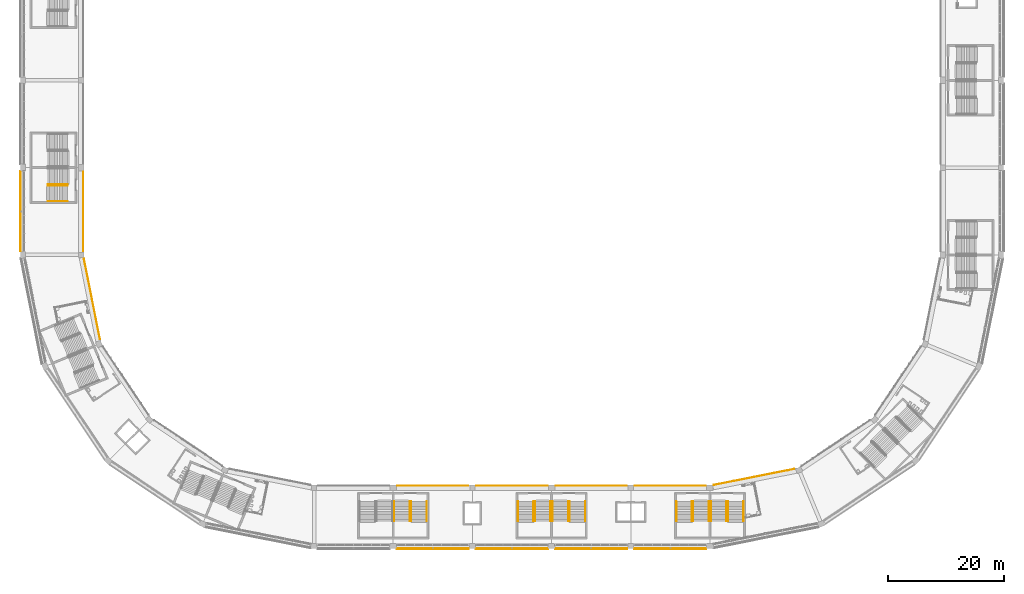
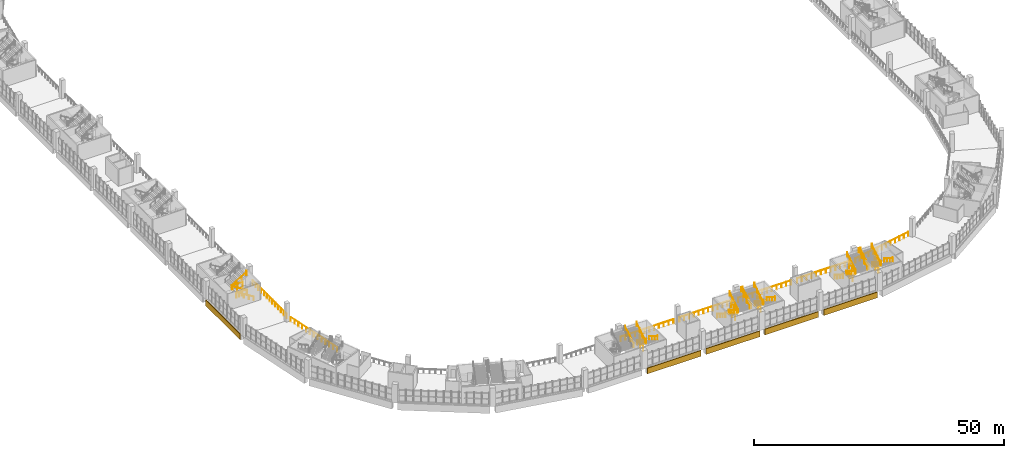
# One storey, part 165 of 177: 42 railings, 5 coverings.
"""IFC4 building model written with IfcOpenShell, lengths in metres."""

from ifc_helpers import new_model, si_unit, direction, frame, origin, origin_2d, place, context, subcontext, project, spatial, polyline, circle, outline, extrude, material, layer, layer_set, type_object, element, save


model = new_model("IFC4")

# Units and contexts
model_context = context("Model", 3, precision=1e-05, world=origin(), true_north=direction((0.0, 1.0)))
body_context = subcontext(model_context, "Body", "Model", "MODEL_VIEW")
ifc_project = project(units=[si_unit("LENGTHUNIT", "METRE"), si_unit("AREAUNIT", "SQUARE_METRE"), si_unit("VOLUMEUNIT", "CUBIC_METRE"), si_unit("PLANEANGLEUNIT", "RADIAN"), si_unit("MASSUNIT", "GRAM", prefix="KILO")], contexts=[model_context])

# Site, building, storey
site_placement = place(None, origin())
site = spatial("IfcSite", under=ifc_project, at=site_placement, CompositionType="ELEMENT")
building_placement = place(site_placement, origin())
building = spatial("IfcBuilding", under=site, at=building_placement, Name="Ogive Plaza Stadium", CompositionType="ELEMENT")
storey_placement = place(building_placement, frame((0.0, 0.0, 18.0)))
storey = spatial("IfcBuildingStorey", under=building, at=storey_placement, Name="L04", CompositionType="ELEMENT", Elevation=18.0)

# Railings
ifc_material_1 = material(Name="Steel ASTM A572 Grade 50", Category="steel")
railing_type_1 = type_object("IfcRailingType", Name="Guard 1100", PredefinedType="GUARDRAIL", material=ifc_material_1)
for number, where, name in (
    (1, (31.02490234375, -94.85009765625, 0.0), "Stair well guard ST12A L04"),
    (2, (31.02490234375, -95.81005859375, 2.25), "Stair well guard ST12A L04"),
    (3, (36.97509765625, -94.85009765625, 0.0), "Stair well guard ST12B L04"),
    (4, (36.97509765625, -95.81005859375, 2.25), "Stair well guard ST12B L04"),
    (5, (3.824951171875, -94.85009765625, 0.0), "Stair well guard ST14A L04"),
    (6, (3.824951171875, -95.81005859375, 2.25), "Stair well guard ST14A L04"),
    (7, (9.77490234375, -94.85009765625, 0.0), "Stair well guard ST14B L04"),
    (8, (9.77490234375, -95.81005859375, 2.25), "Stair well guard ST14B L04"),
    (9, (-17.425048828125, -94.85009765625, 0.0), "Stair well guard ST16B L04"),
    (10, (-17.425048828125, -95.81005859375, 2.25), "Stair well guard ST16B L04"),
):
    element("IfcRailing", number, at=place(storey_placement, frame(where)), inside=storey, type_object=railing_type_1, Name=name, PredefinedType="GUARDRAIL", context=body_context, shape_type="SweptSolid", body=[
        extrude(circle(Radius=0.02392578125, at=origin_2d()), frame((0.0, 0.0, 1.076171875), z_axis=(0.0, -1.0, 0.0), x_axis=(1.0, 0.0, 0.0)), (0.0, 0.0, 1.0), 2.39990234375),
        extrude(circle(Radius=0.02099609375, at=origin_2d()), origin(), (0.0, 0.0, 1.0), 1.052001953125),
        extrude(circle(Radius=0.02099609375, at=origin_2d()), frame((0.0, -1.199951171875, 0.0)), (0.0, 0.0, 1.0), 1.052001953125),
        extrude(circle(Radius=0.02099609375, at=origin_2d()), frame((0.0, -2.39990234375, 0.0)), (0.0, 0.0, 1.0), 1.052001953125),
    ])
for number, where, name in (
    (11, (-76.35009765625, -40.47509765625, 0.0), "Stair well guard ST22B L04"),
    (12, (-77.31005859375, -40.47509765625, 2.25), "Stair well guard ST22B L04"),
):
    element("IfcRailing", number, at=place(storey_placement, frame(where)), inside=storey, type_object=railing_type_1, Name=name, PredefinedType="GUARDRAIL", context=body_context, shape_type="SweptSolid", body=[
        extrude(circle(Radius=0.02392578125, at=origin_2d()), frame((0.0, 0.0, 1.076171875), z_axis=(-1.0, 0.0, 0.0), x_axis=(0.0, -1.0, 0.0)), (0.0, 0.0, 1.0), 2.39990234375),
        extrude(circle(Radius=0.02099609375, at=origin_2d()), origin(), (0.0, 0.0, 1.0), 1.052001953125),
        extrude(circle(Radius=0.02099609375, at=origin_2d()), frame((-1.199951171875, 0.0, 0.0)), (0.0, 0.0, 1.0), 1.052001953125),
        extrude(circle(Radius=0.02099609375, at=origin_2d()), frame((-2.39990234375, 0.0, 0.0)), (0.0, 0.0, 1.0), 1.052001953125),
    ])
railing_1_placement = place(storey_placement, frame((48.48681640625, -89.268310546875, 0.0)))
element("IfcRailing", 13, at=railing_1_placement, inside=storey, type_object=railing_type_1, Name="Guard L04 B11", PredefinedType="GUARDRAIL", context=body_context, shape_type="SweptSolid", body=[
    extrude(circle(Radius=0.02392578125, at=origin_2d()), frame((0.0, 0.0, 1.076171875), z_axis=(-0.980784352387, -0.195094987408, 0.0), x_axis=(0.195094987408, -0.980784352387, 0.0)), (0.0, 0.0, 1.0), 14.070556640625),
    extrude(circle(Radius=0.02099609375, at=origin_2d()), origin(), (0.0, 0.0, 1.0), 1.052001953125),
    extrude(circle(Radius=0.02099609375, at=origin_2d()), frame((-1.14990234375, -0.228759765625, 0.0)), (0.0, 0.0, 1.0), 1.052001953125),
    extrude(circle(Radius=0.02099609375, at=origin_2d()), frame((-2.300048828125, -0.45751953125, 0.0)), (0.0, 0.0, 1.0), 1.052001953125),
    extrude(circle(Radius=0.02099609375, at=origin_2d()), frame((-3.4501953125, -0.686279296875, 0.0)), (0.0, 0.0, 1.0), 1.052001953125),
    extrude(circle(Radius=0.02099609375, at=origin_2d()), frame((-4.60009765625, -0.9150390625, 0.0)), (0.0, 0.0, 1.0), 1.052001953125),
    extrude(circle(Radius=0.02099609375, at=origin_2d()), frame((-5.75, -1.143798828125, 0.0)), (0.0, 0.0, 1.0), 1.052001953125),
    extrude(circle(Radius=0.02099609375, at=origin_2d()), frame((-6.900146484375, -1.37255859375, 0.0)), (0.0, 0.0, 1.0), 1.052001953125),
    extrude(circle(Radius=0.02099609375, at=origin_2d()), frame((-8.05029296875, -1.601318359375, 0.0)), (0.0, 0.0, 1.0), 1.052001953125),
    extrude(circle(Radius=0.02099609375, at=origin_2d()), frame((-9.2001953125, -1.830078125, 0.0)), (0.0, 0.0, 1.0), 1.052001953125),
    extrude(circle(Radius=0.02099609375, at=origin_2d()), frame((-10.35009765625, -2.058837890625, 0.0)), (0.0, 0.0, 1.0), 1.052001953125),
    extrude(circle(Radius=0.02099609375, at=origin_2d()), frame((-11.500244140625, -2.28759765625, 0.0)), (0.0, 0.0, 1.0), 1.052001953125),
    extrude(circle(Radius=0.02099609375, at=origin_2d()), frame((-12.650390625, -2.516357421875, 0.0)), (0.0, 0.0, 1.0), 1.052001953125),
    extrude(circle(Radius=0.02099609375, at=origin_2d()), frame((-13.80029296875, -2.7451171875, 0.0)), (0.0, 0.0, 1.0), 1.052001953125),
])
for number, where, name in (
    (14, (33.300048828125, -92.14990234375, 0.0), "Guard L04 B12"),
    (15, (19.699951171875, -92.14990234375, 0.0), "Guard L04 B13"),
):
    element("IfcRailing", number, at=place(storey_placement, frame(where)), inside=storey, type_object=railing_type_1, Name=name, PredefinedType="GUARDRAIL", context=body_context, shape_type="SweptSolid", body=[
        extrude(circle(Radius=0.02392578125, at=origin_2d()), frame((0.0, 0.0, 1.076171875), z_axis=(-1.0, 0.0, 0.0), x_axis=(0.0, -1.0, 0.0)), (0.0, 0.0, 1.0), 12.199951171875),
        extrude(circle(Radius=0.02099609375, at=origin_2d()), origin(), (0.0, 0.0, 1.0), 1.052001953125),
        extrude(circle(Radius=0.02099609375, at=origin_2d()), frame((-1.109130859375, 0.0, 0.0)), (0.0, 0.0, 1.0), 1.052001953125),
        extrude(circle(Radius=0.02099609375, at=origin_2d()), frame((-2.21826171875, 0.0, 0.0)), (0.0, 0.0, 1.0), 1.052001953125),
        extrude(circle(Radius=0.02099609375, at=origin_2d()), frame((-3.3271484375, 0.0, 0.0)), (0.0, 0.0, 1.0), 1.052001953125),
        extrude(circle(Radius=0.02099609375, at=origin_2d()), frame((-4.436279296875, 0.0, 0.0)), (0.0, 0.0, 1.0), 1.052001953125),
        extrude(circle(Radius=0.02099609375, at=origin_2d()), frame((-5.54541015625, 0.0, 0.0)), (0.0, 0.0, 1.0), 1.052001953125),
        extrude(circle(Radius=0.02099609375, at=origin_2d()), frame((-6.654541015625, 0.0, 0.0)), (0.0, 0.0, 1.0), 1.052001953125),
        extrude(circle(Radius=0.02099609375, at=origin_2d()), frame((-7.763671875, 0.0, 0.0)), (0.0, 0.0, 1.0), 1.052001953125),
        extrude(circle(Radius=0.02099609375, at=origin_2d()), frame((-8.872802734375, 0.0, 0.0)), (0.0, 0.0, 1.0), 1.052001953125),
        extrude(circle(Radius=0.02099609375, at=origin_2d()), frame((-9.981689453125, 0.0, 0.0)), (0.0, 0.0, 1.0), 1.052001953125),
        extrude(circle(Radius=0.02099609375, at=origin_2d()), frame((-11.0908203125, 0.0, 0.0)), (0.0, 0.0, 1.0), 1.052001953125),
        extrude(circle(Radius=0.02099609375, at=origin_2d()), frame((-12.199951171875, 0.0, 0.0)), (0.0, 0.0, 1.0), 1.052001953125),
    ])
railing_2_placement = place(storey_placement, frame((6.10009765625, -92.14990234375, 0.0)))
element("IfcRailing", 16, at=railing_2_placement, inside=storey, type_object=railing_type_1, Name="Guard L04 B14", PredefinedType="GUARDRAIL", context=body_context, shape_type="SweptSolid", body=[
    extrude(circle(Radius=0.02392578125, at=origin_2d()), frame((0.0, 0.0, 1.076171875), z_axis=(-1.0, 0.0, 0.0), x_axis=(0.0, -1.0, 0.0)), (0.0, 0.0, 1.0), 12.2001953125),
    extrude(circle(Radius=0.02099609375, at=origin_2d()), origin(), (0.0, 0.0, 1.0), 1.052001953125),
    extrude(circle(Radius=0.02099609375, at=origin_2d()), frame((-1.109130859375, 0.0, 0.0)), (0.0, 0.0, 1.0), 1.052001953125),
    extrude(circle(Radius=0.02099609375, at=origin_2d()), frame((-2.21826171875, 0.0, 0.0)), (0.0, 0.0, 1.0), 1.052001953125),
    extrude(circle(Radius=0.02099609375, at=origin_2d()), frame((-3.327392578125, 0.0, 0.0)), (0.0, 0.0, 1.0), 1.052001953125),
    extrude(circle(Radius=0.02099609375, at=origin_2d()), frame((-4.4365234375, 0.0, 0.0)), (0.0, 0.0, 1.0), 1.052001953125),
    extrude(circle(Radius=0.02099609375, at=origin_2d()), frame((-5.545654296875, 0.0, 0.0)), (0.0, 0.0, 1.0), 1.052001953125),
    extrude(circle(Radius=0.02099609375, at=origin_2d()), frame((-6.654541015625, 0.0, 0.0)), (0.0, 0.0, 1.0), 1.052001953125),
    extrude(circle(Radius=0.02099609375, at=origin_2d()), frame((-7.763671875, 0.0, 0.0)), (0.0, 0.0, 1.0), 1.052001953125),
    extrude(circle(Radius=0.02099609375, at=origin_2d()), frame((-8.872802734375, 0.0, 0.0)), (0.0, 0.0, 1.0), 1.052001953125),
    extrude(circle(Radius=0.02099609375, at=origin_2d()), frame((-9.98193359375, 0.0, 0.0)), (0.0, 0.0, 1.0), 1.052001953125),
    extrude(circle(Radius=0.02099609375, at=origin_2d()), frame((-11.091064453125, 0.0, 0.0)), (0.0, 0.0, 1.0), 1.052001953125),
    extrude(circle(Radius=0.02099609375, at=origin_2d()), frame((-12.2001953125, 0.0, 0.0)), (0.0, 0.0, 1.0), 1.052001953125),
])
railing_3_placement = place(storey_placement, frame((-7.5, -92.14990234375, 0.0)))
element("IfcRailing", 17, at=railing_3_placement, inside=storey, type_object=railing_type_1, Name="Guard L04 B15", PredefinedType="GUARDRAIL", context=body_context, shape_type="SweptSolid", body=[
    extrude(circle(Radius=0.02392578125, at=origin_2d()), frame((0.0, 0.0, 1.076171875), z_axis=(-1.0, 0.0, 0.0), x_axis=(0.0, -1.0, 0.0)), (0.0, 0.0, 1.0), 12.199951171875),
    extrude(circle(Radius=0.02099609375, at=origin_2d()), origin(), (0.0, 0.0, 1.0), 1.052001953125),
    extrude(circle(Radius=0.02099609375, at=origin_2d()), frame((-1.109130859375, 0.0, 0.0)), (0.0, 0.0, 1.0), 1.052001953125),
    extrude(circle(Radius=0.02099609375, at=origin_2d()), frame((-2.21826171875, 0.0, 0.0)), (0.0, 0.0, 1.0), 1.052001953125),
    extrude(circle(Radius=0.02099609375, at=origin_2d()), frame((-3.3271484375, 0.0, 0.0)), (0.0, 0.0, 1.0), 1.052001953125),
    extrude(circle(Radius=0.02099609375, at=origin_2d()), frame((-4.436279296875, 0.0, 0.0)), (0.0, 0.0, 1.0), 1.052001953125),
    extrude(circle(Radius=0.02099609375, at=origin_2d()), frame((-5.54541015625, 0.0, 0.0)), (0.0, 0.0, 1.0), 1.052001953125),
    extrude(circle(Radius=0.02099609375, at=origin_2d()), frame((-6.654541015625, 0.0, 0.0)), (0.0, 0.0, 1.0), 1.052001953125),
    extrude(circle(Radius=0.02099609375, at=origin_2d()), frame((-7.763671875, 0.0, 0.0)), (0.0, 0.0, 1.0), 1.052001953125),
    extrude(circle(Radius=0.02099609375, at=origin_2d()), frame((-8.872802734375, 0.0, 0.0)), (0.0, 0.0, 1.0), 1.052001953125),
    extrude(circle(Radius=0.02099609375, at=origin_2d()), frame((-9.981689453125, 0.0, 0.0)), (0.0, 0.0, 1.0), 1.052001953125),
    extrude(circle(Radius=0.02099609375, at=origin_2d()), frame((-11.0908203125, 0.0, 0.0)), (0.0, 0.0, 1.0), 1.052001953125),
    extrude(circle(Radius=0.02099609375, at=origin_2d()), frame((-12.199951171875, 0.0, 0.0)), (0.0, 0.0, 1.0), 1.052001953125),
])
railing_4_placement = place(storey_placement, frame((-70.768310546875, -66.98681640625, 0.0)))
element("IfcRailing", 18, at=railing_4_placement, inside=storey, type_object=railing_type_1, Name="Guard L04 B20", PredefinedType="GUARDRAIL", context=body_context, shape_type="SweptSolid", body=[
    extrude(circle(Radius=0.02392578125, at=origin_2d()), frame((0.0, 0.0, 1.076171875), z_axis=(-0.195094987408, 0.980784352387, 0.0), x_axis=(-0.980784352387, -0.195094987408, 0.0)), (0.0, 0.0, 1.0), 14.070556640625),
    extrude(circle(Radius=0.02099609375, at=origin_2d()), origin(), (0.0, 0.0, 1.0), 1.052001953125),
    extrude(circle(Radius=0.02099609375, at=origin_2d()), frame((-0.228759765625, 1.14990234375, 0.0)), (0.0, 0.0, 1.0), 1.052001953125),
    extrude(circle(Radius=0.02099609375, at=origin_2d()), frame((-0.45751953125, 2.300048828125, 0.0)), (0.0, 0.0, 1.0), 1.052001953125),
    extrude(circle(Radius=0.02099609375, at=origin_2d()), frame((-0.686279296875, 3.4501953125, 0.0)), (0.0, 0.0, 1.0), 1.052001953125),
    extrude(circle(Radius=0.02099609375, at=origin_2d()), frame((-0.9150390625, 4.60009765625, 0.0)), (0.0, 0.0, 1.0), 1.052001953125),
    extrude(circle(Radius=0.02099609375, at=origin_2d()), frame((-1.143798828125, 5.75, 0.0)), (0.0, 0.0, 1.0), 1.052001953125),
    extrude(circle(Radius=0.02099609375, at=origin_2d()), frame((-1.37255859375, 6.900146484375, 0.0)), (0.0, 0.0, 1.0), 1.052001953125),
    extrude(circle(Radius=0.02099609375, at=origin_2d()), frame((-1.601318359375, 8.05029296875, 0.0)), (0.0, 0.0, 1.0), 1.052001953125),
    extrude(circle(Radius=0.02099609375, at=origin_2d()), frame((-1.830078125, 9.2001953125, 0.0)), (0.0, 0.0, 1.0), 1.052001953125),
    extrude(circle(Radius=0.02099609375, at=origin_2d()), frame((-2.058837890625, 10.35009765625, 0.0)), (0.0, 0.0, 1.0), 1.052001953125),
    extrude(circle(Radius=0.02099609375, at=origin_2d()), frame((-2.28759765625, 11.500244140625, 0.0)), (0.0, 0.0, 1.0), 1.052001953125),
    extrude(circle(Radius=0.02099609375, at=origin_2d()), frame((-2.516357421875, 12.650390625, 0.0)), (0.0, 0.0, 1.0), 1.052001953125),
    extrude(circle(Radius=0.02099609375, at=origin_2d()), frame((-2.7451171875, 13.80029296875, 0.0)), (0.0, 0.0, 1.0), 1.052001953125),
])
railing_5_placement = place(storey_placement, frame((-73.64990234375, -51.800048828125, 0.0)))
element("IfcRailing", 19, at=railing_5_placement, inside=storey, type_object=railing_type_1, Name="Guard L04 B21", PredefinedType="GUARDRAIL", context=body_context, shape_type="SweptSolid", body=[
    extrude(circle(Radius=0.02392578125, at=origin_2d()), frame((0.0, 0.0, 1.076171875), z_axis=(0.0, 1.0, 0.0), x_axis=(-1.0, 0.0, 0.0)), (0.0, 0.0, 1.0), 13.60009765625),
    extrude(circle(Radius=0.02099609375, at=origin_2d()), origin(), (0.0, 0.0, 1.0), 1.052001953125),
    extrude(circle(Radius=0.02099609375, at=origin_2d()), frame((0.0, 1.13330078125, 0.0)), (0.0, 0.0, 1.0), 1.052001953125),
    extrude(circle(Radius=0.02099609375, at=origin_2d()), frame((0.0, 2.2666015625, 0.0)), (0.0, 0.0, 1.0), 1.052001953125),
    extrude(circle(Radius=0.02099609375, at=origin_2d()), frame((0.0, 3.39990234375, 0.0)), (0.0, 0.0, 1.0), 1.052001953125),
    extrude(circle(Radius=0.02099609375, at=origin_2d()), frame((0.0, 4.533447265625, 0.0)), (0.0, 0.0, 1.0), 1.052001953125),
    extrude(circle(Radius=0.02099609375, at=origin_2d()), frame((0.0, 5.666748046875, 0.0)), (0.0, 0.0, 1.0), 1.052001953125),
    extrude(circle(Radius=0.02099609375, at=origin_2d()), frame((0.0, 6.800048828125, 0.0)), (0.0, 0.0, 1.0), 1.052001953125),
    extrude(circle(Radius=0.02099609375, at=origin_2d()), frame((0.0, 7.933349609375, 0.0)), (0.0, 0.0, 1.0), 1.052001953125),
    extrude(circle(Radius=0.02099609375, at=origin_2d()), frame((0.0, 9.066650390625, 0.0)), (0.0, 0.0, 1.0), 1.052001953125),
    extrude(circle(Radius=0.02099609375, at=origin_2d()), frame((0.0, 10.2001953125, 0.0)), (0.0, 0.0, 1.0), 1.052001953125),
    extrude(circle(Radius=0.02099609375, at=origin_2d()), frame((0.0, 11.33349609375, 0.0)), (0.0, 0.0, 1.0), 1.052001953125),
    extrude(circle(Radius=0.02099609375, at=origin_2d()), frame((0.0, 12.466796875, 0.0)), (0.0, 0.0, 1.0), 1.052001953125),
    extrude(circle(Radius=0.02099609375, at=origin_2d()), frame((0.0, 13.60009765625, 0.0)), (0.0, 0.0, 1.0), 1.052001953125),
])
ifc_material_2 = material(Name="Steel ASTM A572 Grade 50", Category="steel")
railing_type_2 = type_object("IfcRailingType", Name="Handrail 900", PredefinedType="HANDRAIL", material=ifc_material_2)
for number, where, name in (
    (20, (28.235107421875, -94.85009765625, 0.173095703125), "Handrail ST12A L04"),
    (21, (30.9150390625, -94.85009765625, 0.173095703125), "Handrail ST12A L04"),
):
    element("IfcRailing", number, at=place(storey_placement, frame(where)), inside=storey, type_object=railing_type_2, Name=name, PredefinedType="HANDRAIL", context=body_context, shape_type="SweptSolid", body=[
        extrude(circle(Radius=0.02392578125, at=origin_2d()), frame((0.0, 0.0, 0.8759765625), z_axis=(0.0, -0.850606129759, 0.525803396734), x_axis=(1.0, 0.0, 0.0)), (0.0, 0.0, 1.0), 3.949951171875),
        extrude(circle(Radius=0.02099609375, at=origin_2d()), origin(), (0.0, 0.0, 1.0), 0.851806640625),
        extrude(circle(Radius=0.02099609375, at=origin_2d()), frame((0.0, -1.119873046875, 0.6923828125)), (0.0, 0.0, 1.0), 0.851806640625),
        extrude(circle(Radius=0.02099609375, at=origin_2d()), frame((0.0, -2.239990234375, 1.384521484375)), (0.0, 0.0, 1.0), 0.851806640625),
        extrude(circle(Radius=0.02099609375, at=origin_2d()), frame((0.0, -3.35986328125, 2.076904296875)), (0.0, 0.0, 1.0), 1.10009765625),
    ])
for number, where, name in (
    (22, (31.135009765625, -98.2099609375, 2.423095703125), "Handrail ST12A L04"),
    (23, (33.81494140625, -98.2099609375, 2.423095703125), "Handrail ST12A L04"),
):
    element("IfcRailing", number, at=place(storey_placement, frame(where)), inside=storey, type_object=railing_type_2, Name=name, PredefinedType="HANDRAIL", context=body_context, shape_type="SweptSolid", body=[
        extrude(circle(Radius=0.02392578125, at=origin_2d()), frame((0.0, 0.0, 0.8759765625), z_axis=(0.0, 0.850606129759, 0.525803396734), x_axis=(-1.0, 0.0, 0.0)), (0.0, 0.0, 1.0), 3.949951171875),
        extrude(circle(Radius=0.02099609375, at=origin_2d()), origin(), (0.0, 0.0, 1.0), 0.851806640625),
        extrude(circle(Radius=0.02099609375, at=origin_2d()), frame((0.0, 1.119873046875, 0.6923828125)), (0.0, 0.0, 1.0), 0.851806640625),
        extrude(circle(Radius=0.02099609375, at=origin_2d()), frame((0.0, 2.239990234375, 1.384521484375)), (0.0, 0.0, 1.0), 0.851806640625),
        extrude(circle(Radius=0.02099609375, at=origin_2d()), frame((0.0, 3.35986328125, 2.076904296875)), (0.0, 0.0, 1.0), 1.10009765625),
    ])
for number, where, name in (
    (24, (37.0849609375, -94.85009765625, 0.173095703125), "Handrail ST12B L04"),
    (25, (39.764892578125, -94.85009765625, 0.173095703125), "Handrail ST12B L04"),
):
    element("IfcRailing", number, at=place(storey_placement, frame(where)), inside=storey, type_object=railing_type_2, Name=name, PredefinedType="HANDRAIL", context=body_context, shape_type="SweptSolid", body=[
        extrude(circle(Radius=0.02392578125, at=origin_2d()), frame((0.0, 0.0, 0.8759765625), z_axis=(0.0, -0.850606129759, 0.525803396734), x_axis=(1.0, 0.0, 0.0)), (0.0, 0.0, 1.0), 3.949951171875),
        extrude(circle(Radius=0.02099609375, at=origin_2d()), origin(), (0.0, 0.0, 1.0), 0.851806640625),
        extrude(circle(Radius=0.02099609375, at=origin_2d()), frame((0.0, -1.119873046875, 0.6923828125)), (0.0, 0.0, 1.0), 0.851806640625),
        extrude(circle(Radius=0.02099609375, at=origin_2d()), frame((0.0, -2.239990234375, 1.384521484375)), (0.0, 0.0, 1.0), 0.851806640625),
        extrude(circle(Radius=0.02099609375, at=origin_2d()), frame((0.0, -3.35986328125, 2.076904296875)), (0.0, 0.0, 1.0), 1.10009765625),
    ])
for number, where, name in (
    (26, (34.18505859375, -98.2099609375, 2.423095703125), "Handrail ST12B L04"),
    (27, (36.864990234375, -98.2099609375, 2.423095703125), "Handrail ST12B L04"),
):
    element("IfcRailing", number, at=place(storey_placement, frame(where)), inside=storey, type_object=railing_type_2, Name=name, PredefinedType="HANDRAIL", context=body_context, shape_type="SweptSolid", body=[
        extrude(circle(Radius=0.02392578125, at=origin_2d()), frame((0.0, 0.0, 0.8759765625), z_axis=(0.0, 0.850606129759, 0.525803396734), x_axis=(-1.0, 0.0, 0.0)), (0.0, 0.0, 1.0), 3.949951171875),
        extrude(circle(Radius=0.02099609375, at=origin_2d()), origin(), (0.0, 0.0, 1.0), 0.851806640625),
        extrude(circle(Radius=0.02099609375, at=origin_2d()), frame((0.0, 1.119873046875, 0.6923828125)), (0.0, 0.0, 1.0), 0.851806640625),
        extrude(circle(Radius=0.02099609375, at=origin_2d()), frame((0.0, 2.239990234375, 1.384521484375)), (0.0, 0.0, 1.0), 0.851806640625),
        extrude(circle(Radius=0.02099609375, at=origin_2d()), frame((0.0, 3.35986328125, 2.076904296875)), (0.0, 0.0, 1.0), 1.10009765625),
    ])
for number, where, name in (
    (28, (1.034912109375, -94.85009765625, 0.173095703125), "Handrail ST14A L04"),
    (29, (3.715087890625, -94.85009765625, 0.173095703125), "Handrail ST14A L04"),
):
    element("IfcRailing", number, at=place(storey_placement, frame(where)), inside=storey, type_object=railing_type_2, Name=name, PredefinedType="HANDRAIL", context=body_context, shape_type="SweptSolid", body=[
        extrude(circle(Radius=0.02392578125, at=origin_2d()), frame((0.0, 0.0, 0.8759765625), z_axis=(0.0, -0.850606129759, 0.525803396734), x_axis=(1.0, 0.0, 0.0)), (0.0, 0.0, 1.0), 3.949951171875),
        extrude(circle(Radius=0.02099609375, at=origin_2d()), origin(), (0.0, 0.0, 1.0), 0.851806640625),
        extrude(circle(Radius=0.02099609375, at=origin_2d()), frame((0.0, -1.119873046875, 0.6923828125)), (0.0, 0.0, 1.0), 0.851806640625),
        extrude(circle(Radius=0.02099609375, at=origin_2d()), frame((0.0, -2.239990234375, 1.384521484375)), (0.0, 0.0, 1.0), 0.851806640625),
        extrude(circle(Radius=0.02099609375, at=origin_2d()), frame((0.0, -3.35986328125, 2.076904296875)), (0.0, 0.0, 1.0), 1.10009765625),
    ])
for number, where, name in (
    (30, (3.93505859375, -98.2099609375, 2.423095703125), "Handrail ST14A L04"),
    (31, (6.614990234375, -98.2099609375, 2.423095703125), "Handrail ST14A L04"),
):
    element("IfcRailing", number, at=place(storey_placement, frame(where)), inside=storey, type_object=railing_type_2, Name=name, PredefinedType="HANDRAIL", context=body_context, shape_type="SweptSolid", body=[
        extrude(circle(Radius=0.02392578125, at=origin_2d()), frame((0.0, 0.0, 0.8759765625), z_axis=(0.0, 0.850606129759, 0.525803396734), x_axis=(-1.0, 0.0, 0.0)), (0.0, 0.0, 1.0), 3.949951171875),
        extrude(circle(Radius=0.02099609375, at=origin_2d()), origin(), (0.0, 0.0, 1.0), 0.851806640625),
        extrude(circle(Radius=0.02099609375, at=origin_2d()), frame((0.0, 1.119873046875, 0.6923828125)), (0.0, 0.0, 1.0), 0.851806640625),
        extrude(circle(Radius=0.02099609375, at=origin_2d()), frame((0.0, 2.239990234375, 1.384521484375)), (0.0, 0.0, 1.0), 0.851806640625),
        extrude(circle(Radius=0.02099609375, at=origin_2d()), frame((0.0, 3.35986328125, 2.076904296875)), (0.0, 0.0, 1.0), 1.10009765625),
    ])
for number, where, name in (
    (32, (9.885009765625, -94.85009765625, 0.173095703125), "Handrail ST14B L04"),
    (33, (12.56494140625, -94.85009765625, 0.173095703125), "Handrail ST14B L04"),
):
    element("IfcRailing", number, at=place(storey_placement, frame(where)), inside=storey, type_object=railing_type_2, Name=name, PredefinedType="HANDRAIL", context=body_context, shape_type="SweptSolid", body=[
        extrude(circle(Radius=0.02392578125, at=origin_2d()), frame((0.0, 0.0, 0.8759765625), z_axis=(0.0, -0.850606129759, 0.525803396734), x_axis=(1.0, 0.0, 0.0)), (0.0, 0.0, 1.0), 3.949951171875),
        extrude(circle(Radius=0.02099609375, at=origin_2d()), origin(), (0.0, 0.0, 1.0), 0.851806640625),
        extrude(circle(Radius=0.02099609375, at=origin_2d()), frame((0.0, -1.119873046875, 0.6923828125)), (0.0, 0.0, 1.0), 0.851806640625),
        extrude(circle(Radius=0.02099609375, at=origin_2d()), frame((0.0, -2.239990234375, 1.384521484375)), (0.0, 0.0, 1.0), 0.851806640625),
        extrude(circle(Radius=0.02099609375, at=origin_2d()), frame((0.0, -3.35986328125, 2.076904296875)), (0.0, 0.0, 1.0), 1.10009765625),
    ])
for number, where, name in (
    (34, (6.985107421875, -98.2099609375, 2.423095703125), "Handrail ST14B L04"),
    (35, (9.6650390625, -98.2099609375, 2.423095703125), "Handrail ST14B L04"),
):
    element("IfcRailing", number, at=place(storey_placement, frame(where)), inside=storey, type_object=railing_type_2, Name=name, PredefinedType="HANDRAIL", context=body_context, shape_type="SweptSolid", body=[
        extrude(circle(Radius=0.02392578125, at=origin_2d()), frame((0.0, 0.0, 0.8759765625), z_axis=(0.0, 0.850606129759, 0.525803396734), x_axis=(-1.0, 0.0, 0.0)), (0.0, 0.0, 1.0), 3.949951171875),
        extrude(circle(Radius=0.02099609375, at=origin_2d()), origin(), (0.0, 0.0, 1.0), 0.851806640625),
        extrude(circle(Radius=0.02099609375, at=origin_2d()), frame((0.0, 1.119873046875, 0.6923828125)), (0.0, 0.0, 1.0), 0.851806640625),
        extrude(circle(Radius=0.02099609375, at=origin_2d()), frame((0.0, 2.239990234375, 1.384521484375)), (0.0, 0.0, 1.0), 0.851806640625),
        extrude(circle(Radius=0.02099609375, at=origin_2d()), frame((0.0, 3.35986328125, 2.076904296875)), (0.0, 0.0, 1.0), 1.10009765625),
    ])
for number, where, name in (
    (36, (-17.31494140625, -94.85009765625, 0.173095703125), "Handrail ST16B L04"),
    (37, (-14.635009765625, -94.85009765625, 0.173095703125), "Handrail ST16B L04"),
):
    element("IfcRailing", number, at=place(storey_placement, frame(where)), inside=storey, type_object=railing_type_2, Name=name, PredefinedType="HANDRAIL", context=body_context, shape_type="SweptSolid", body=[
        extrude(circle(Radius=0.02392578125, at=origin_2d()), frame((0.0, 0.0, 0.8759765625), z_axis=(0.0, -0.850606129759, 0.525803396734), x_axis=(1.0, 0.0, 0.0)), (0.0, 0.0, 1.0), 3.949951171875),
        extrude(circle(Radius=0.02099609375, at=origin_2d()), origin(), (0.0, 0.0, 1.0), 0.851806640625),
        extrude(circle(Radius=0.02099609375, at=origin_2d()), frame((0.0, -1.119873046875, 0.6923828125)), (0.0, 0.0, 1.0), 0.851806640625),
        extrude(circle(Radius=0.02099609375, at=origin_2d()), frame((0.0, -2.239990234375, 1.384521484375)), (0.0, 0.0, 1.0), 0.851806640625),
        extrude(circle(Radius=0.02099609375, at=origin_2d()), frame((0.0, -3.35986328125, 2.076904296875)), (0.0, 0.0, 1.0), 1.10009765625),
    ])
for number, where, name in (
    (38, (-20.215087890625, -98.2099609375, 2.423095703125), "Handrail ST16B L04"),
    (39, (-17.534912109375, -98.2099609375, 2.423095703125), "Handrail ST16B L04"),
):
    element("IfcRailing", number, at=place(storey_placement, frame(where)), inside=storey, type_object=railing_type_2, Name=name, PredefinedType="HANDRAIL", context=body_context, shape_type="SweptSolid", body=[
        extrude(circle(Radius=0.02392578125, at=origin_2d()), frame((0.0, 0.0, 0.8759765625), z_axis=(0.0, 0.850606129759, 0.525803396734), x_axis=(-1.0, 0.0, 0.0)), (0.0, 0.0, 1.0), 3.949951171875),
        extrude(circle(Radius=0.02099609375, at=origin_2d()), origin(), (0.0, 0.0, 1.0), 0.851806640625),
        extrude(circle(Radius=0.02099609375, at=origin_2d()), frame((0.0, 1.119873046875, 0.6923828125)), (0.0, 0.0, 1.0), 0.851806640625),
        extrude(circle(Radius=0.02099609375, at=origin_2d()), frame((0.0, 2.239990234375, 1.384521484375)), (0.0, 0.0, 1.0), 0.851806640625),
        extrude(circle(Radius=0.02099609375, at=origin_2d()), frame((0.0, 3.35986328125, 2.076904296875)), (0.0, 0.0, 1.0), 1.10009765625),
    ])
for number, where, name in (
    (40, (-76.35009765625, -40.5849609375, 0.173095703125), "Handrail ST22B L04"),
    (41, (-76.35009765625, -43.264892578125, 0.173095703125), "Handrail ST22B L04"),
):
    element("IfcRailing", number, at=place(storey_placement, frame(where)), inside=storey, type_object=railing_type_2, Name=name, PredefinedType="HANDRAIL", context=body_context, shape_type="SweptSolid", body=[
        extrude(circle(Radius=0.02392578125, at=origin_2d()), frame((0.0, 0.0, 0.8759765625), z_axis=(-0.850606129759, 0.0, 0.525803396734), x_axis=(0.0, -1.0, 0.0)), (0.0, 0.0, 1.0), 3.949951171875),
        extrude(circle(Radius=0.02099609375, at=origin_2d()), origin(), (0.0, 0.0, 1.0), 0.851806640625),
        extrude(circle(Radius=0.02099609375, at=origin_2d()), frame((-1.119873046875, 0.0, 0.6923828125)), (0.0, 0.0, 1.0), 0.851806640625),
        extrude(circle(Radius=0.02099609375, at=origin_2d()), frame((-2.239990234375, 0.0, 1.384521484375)), (0.0, 0.0, 1.0), 0.851806640625),
        extrude(circle(Radius=0.02099609375, at=origin_2d()), frame((-3.35986328125, 0.0, 2.076904296875)), (0.0, 0.0, 1.0), 1.10009765625),
    ])
railing_6_placement = place(storey_placement, frame((-79.7099609375, -40.364990234375, 2.423095703125)))
element("IfcRailing", 42, at=railing_6_placement, inside=storey, type_object=railing_type_2, Name="Handrail ST22B L04", PredefinedType="HANDRAIL", context=body_context, shape_type="SweptSolid", body=[
    extrude(circle(Radius=0.02392578125, at=origin_2d()), frame((0.0, 0.0, 0.8759765625), z_axis=(0.850606129759, 0.0, 0.525803396734), x_axis=(0.0, 1.0, 0.0)), (0.0, 0.0, 1.0), 3.949951171875),
    extrude(circle(Radius=0.02099609375, at=origin_2d()), origin(), (0.0, 0.0, 1.0), 0.851806640625),
    extrude(circle(Radius=0.02099609375, at=origin_2d()), frame((1.119873046875, 0.0, 0.6923828125)), (0.0, 0.0, 1.0), 0.851806640625),
    extrude(circle(Radius=0.02099609375, at=origin_2d()), frame((2.239990234375, 0.0, 1.384521484375)), (0.0, 0.0, 1.0), 0.851806640625),
    extrude(circle(Radius=0.02099609375, at=origin_2d()), frame((3.35986328125, 0.0, 2.076904296875)), (0.0, 0.0, 1.0), 1.10009765625),
])

# Coverings
ifc_material_3 = material(Name="Cast stone (reconstituted limestone)", Category="masonry")
ifc_layer = layer(ifc_material_3, 0.159912109375)
ifc_layer_set = layer_set([ifc_layer], Name="Precast spandrel cladding 160")
covering_type = type_object("IfcCoveringType", Name="Precast spandrel cladding 160", PredefinedType="CLADDING", material=ifc_layer_set)
covering_1_placement = place(storey_placement, frame((0.0, 0.0, -1.409912109375)))
element("IfcCovering", 43, at=covering_1_placement, inside=storey, type_object=covering_type, Name="SPANDREL CLADDING B12 L04", PredefinedType="CLADDING", context=body_context, shape_type="SweptSolid", body=[
    extrude(outline(polyline([(33.39990234375, -102.85009765625), (21.0, -102.85009765625), (21.0, -103.010009765625), (33.39990234375, -103.010009765625), (33.39990234375, -102.85009765625)])), origin(), (0.0, 0.0, 1.0), 1.409912109375),
])
covering_2_placement = place(storey_placement, frame((0.0, 0.0, -1.409912109375)))
element("IfcCovering", 44, at=covering_2_placement, inside=storey, type_object=covering_type, Name="SPANDREL CLADDING B13 L04", PredefinedType="CLADDING", context=body_context, shape_type="SweptSolid", body=[
    extrude(outline(polyline([(19.800048828125, -102.85009765625), (7.39990234375, -102.85009765625), (7.39990234375, -103.010009765625), (19.800048828125, -103.010009765625), (19.800048828125, -102.85009765625)])), origin(), (0.0, 0.0, 1.0), 1.409912109375),
])
covering_3_placement = place(storey_placement, frame((0.0, 0.0, -1.409912109375)))
element("IfcCovering", 45, at=covering_3_placement, inside=storey, type_object=covering_type, Name="SPANDREL CLADDING B14 L04", PredefinedType="CLADDING", context=body_context, shape_type="SweptSolid", body=[
    extrude(outline(polyline([(6.199951171875, -102.85009765625), (-6.199951171875, -102.85009765625), (-6.199951171875, -103.010009765625), (6.199951171875, -103.010009765625), (6.199951171875, -102.85009765625)])), origin(), (0.0, 0.0, 1.0), 1.409912109375),
])
covering_4_placement = place(storey_placement, frame((0.0, 0.0, -1.409912109375)))
element("IfcCovering", 46, at=covering_4_placement, inside=storey, type_object=covering_type, Name="SPANDREL CLADDING B15 L04", PredefinedType="CLADDING", context=body_context, shape_type="SweptSolid", body=[
    extrude(outline(polyline([(-7.39990234375, -102.85009765625), (-19.800048828125, -102.85009765625), (-19.800048828125, -103.010009765625), (-7.39990234375, -103.010009765625), (-7.39990234375, -102.85009765625)])), origin(), (0.0, 0.0, 1.0), 1.409912109375),
])
covering_5_placement = place(storey_placement, frame((0.0, 0.0, -1.409912109375)))
element("IfcCovering", 47, at=covering_5_placement, inside=storey, type_object=covering_type, Name="SPANDREL CLADDING B21 L04", PredefinedType="CLADDING", context=body_context, shape_type="SweptSolid", body=[
    extrude(outline(polyline([(-84.35009765625, -51.89990234375), (-84.35009765625, -38.10009765625), (-84.510009765625, -38.10009765625), (-84.510009765625, -51.89990234375), (-84.35009765625, -51.89990234375)])), origin(), (0.0, 0.0, 1.0), 1.409912109375),
])

save(model, "model.ifc")
